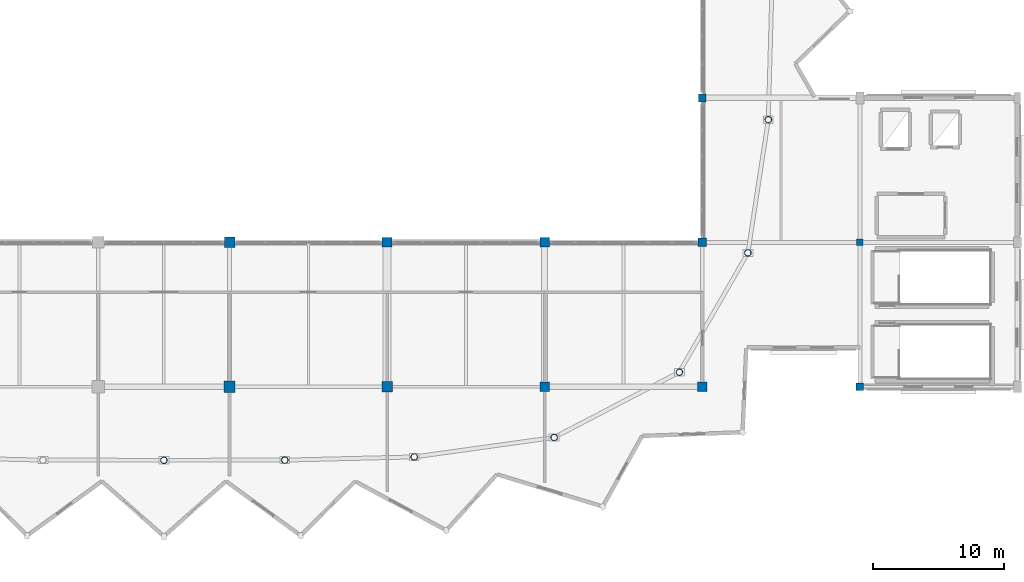
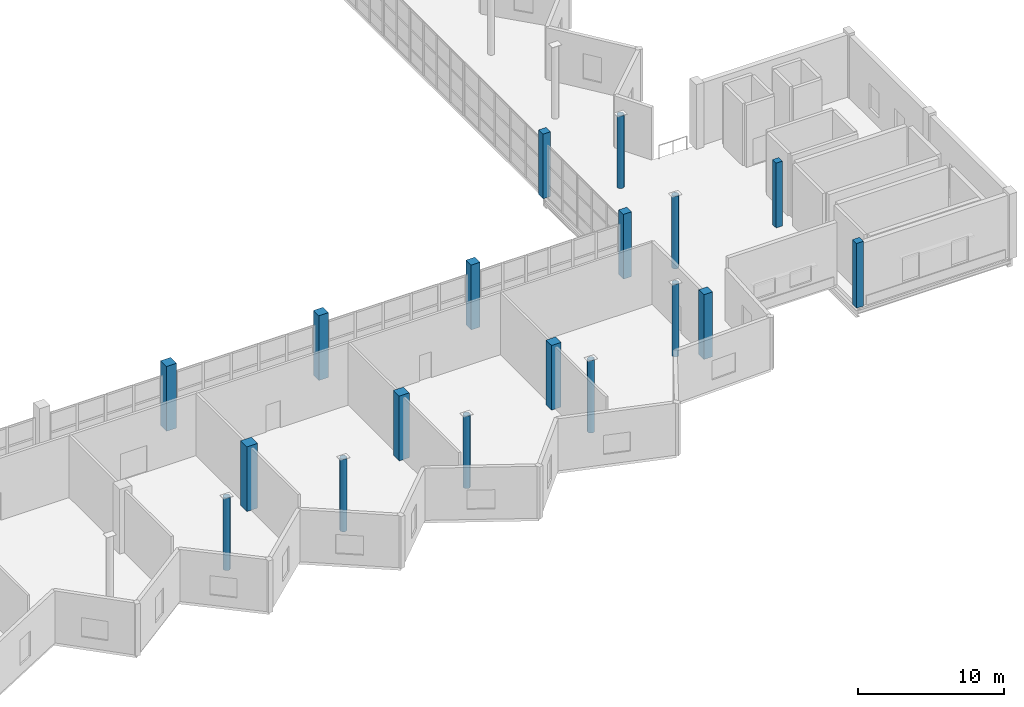
# One storey, part 4 of 49: 18 columns.
"""IFC4 building model written with IfcOpenShell, lengths in metres."""

from ifc_helpers import new_model, si_unit, direction, frame, origin, origin_2d, place, context, subcontext, project, spatial, rectangle, hollow_circle, extrude, material, material_profile, profile_set, type_object, element, save


model = new_model("IFC4")

# Units and contexts
model_context = context("Model", 3, precision=1e-05, world=origin(), true_north=direction((0.0, 1.0)))
body_context = subcontext(model_context, "Body", "Model", "MODEL_VIEW")
ifc_project = project(units=[si_unit("LENGTHUNIT", "METRE"), si_unit("AREAUNIT", "SQUARE_METRE"), si_unit("VOLUMEUNIT", "CUBIC_METRE"), si_unit("PLANEANGLEUNIT", "RADIAN"), si_unit("MASSUNIT", "GRAM", prefix="KILO")], contexts=[model_context])

# Site, building, storey
site_placement = place(None, origin())
site = spatial("IfcSite", under=ifc_project, at=site_placement, CompositionType="ELEMENT")
building_placement = place(site_placement, origin())
building = spatial("IfcBuilding", under=site, at=building_placement, Name="Luwafu Chhajja Arena", CompositionType="ELEMENT")
storey_placement = place(building_placement, frame((0.0, 0.0, 24.300048828125)))
storey = spatial("IfcBuildingStorey", under=building, at=storey_placement, Name="L05", CompositionType="ELEMENT", Elevation=24.300048828125)

# Columns
ifc_material_1 = material(Name="Concrete C35/45", Category="concrete")
ifc_material_profile_1 = material_profile(ifc_material_1, rectangle(XDim=0.85009765625, YDim=0.85009765625, at=origin_2d()), Name="RC 850x850")
ifc_profile_set_1 = profile_set([ifc_material_profile_1], Name="Concrete C35/45")
column_type_1 = type_object("IfcColumnType", Name="Concourse Heavy Column RC 850", PredefinedType="COLUMN", material=ifc_profile_set_1)
column_1_placement = place(storey_placement, frame((104.0, 11.0, 0.0), z_axis=(0.0, 0.0, 1.0), x_axis=(1.0, 0.0, 0.0)))
element("IfcColumn", 1, at=column_1_placement, inside=storey, type_object=column_type_1, Name="L05 Grid Column 10/B", PredefinedType="COLUMN", context=body_context, shape_type="SweptSolid", body=[
    extrude(rectangle(XDim=0.85009765625, YDim=0.85009765625, at=origin_2d()), origin(), (0.0, 0.0, 1.0), 5.39990234375),
])
ifc_material_profile_2 = material_profile(ifc_material_1, rectangle(XDim=0.800048828125, YDim=0.800048828125, at=origin_2d()), Name="RC 800x800")
ifc_profile_set_2 = profile_set([ifc_material_profile_2], Name="Concrete C35/45")
column_type_2 = type_object("IfcColumnType", Name="Concourse Standard Column RC 800", PredefinedType="COLUMN", material=ifc_profile_set_2)
for number, where, z_axis, x_axis, name in (
    (2, (104.0, 22.0, 0.0), (0.0, 0.0, 1.0), (1.0, 0.0, 0.0), "L05 Grid Column 10/C"),
    (3, (116.0, 11.0, 0.0), (0.0, 0.0, 1.0), (1.0, 0.0, 0.0), "L05 Grid Column 11/B"),
):
    element("IfcColumn", number, at=place(storey_placement, frame(where, z_axis=z_axis, x_axis=x_axis)), inside=storey, type_object=column_type_2, Name=name, PredefinedType="COLUMN", context=body_context, shape_type="SweptSolid", body=[
        extrude(rectangle(XDim=0.800048828125, YDim=0.800048828125, at=origin_2d()), origin(), (0.0, 0.0, 1.0), 5.39990234375),
    ])
ifc_material_profile_3 = material_profile(ifc_material_1, rectangle(XDim=0.550048828125, YDim=0.550048828125, at=origin_2d()), Name="RC 550x550")
ifc_profile_set_3 = profile_set([ifc_material_profile_3], Name="Concrete C35/45")
column_type_3 = type_object("IfcColumnType", Name="Gallery Column RC 550", PredefinedType="COLUMN", material=ifc_profile_set_3)
column_2_placement = place(storey_placement, frame((152.0, 11.0, 0.0), z_axis=(0.0, 0.0, 1.0), x_axis=(1.0, 0.0, 0.0)))
element("IfcColumn", 4, at=column_2_placement, inside=storey, type_object=column_type_3, Name="L05 Grid Column 14/B", PredefinedType="COLUMN", context=body_context, shape_type="SweptSolid", body=[
    extrude(rectangle(XDim=0.550048828125, YDim=0.550048828125, at=origin_2d()), origin(), (0.0, 0.0, 1.0), 5.39990234375),
])
ifc_material_profile_4 = material_profile(ifc_material_1, rectangle(XDim=0.75, YDim=0.75, at=origin_2d()), Name="RC 750x750")
ifc_profile_set_4 = profile_set([ifc_material_profile_4], Name="Concrete C35/45")
column_type_4 = type_object("IfcColumnType", Name="Hospitality Ring Column RC 750", PredefinedType="COLUMN", material=ifc_profile_set_4)
for number, where, z_axis, x_axis, name in (
    (5, (116.0, 22.0, 0.0), (0.0, 0.0, 1.0), (1.0, 0.0, 0.0), "L05 Grid Column 11/C"),
    (6, (128.0, 11.0, 0.0), (0.0, 0.0, 1.0), (1.0, 0.0, 0.0), "L05 Grid Column 12/B"),
):
    element("IfcColumn", number, at=place(storey_placement, frame(where, z_axis=z_axis, x_axis=x_axis)), inside=storey, type_object=column_type_4, Name=name, PredefinedType="COLUMN", context=body_context, shape_type="SweptSolid", body=[
        extrude(rectangle(XDim=0.75, YDim=0.75, at=origin_2d()), origin(), (0.0, 0.0, 1.0), 5.39990234375),
    ])
ifc_material_profile_5 = material_profile(ifc_material_1, rectangle(XDim=0.60009765625, YDim=0.60009765625, at=origin_2d()), Name="RC 600x600")
ifc_profile_set_5 = profile_set([ifc_material_profile_5], Name="Concrete C35/45")
column_type_5 = type_object("IfcColumnType", Name="Mezzanine Column RC 600", PredefinedType="COLUMN", material=ifc_profile_set_5)
column_3_placement = place(storey_placement, frame((140.0, 33.0, 0.0), z_axis=(0.0, 0.0, 1.0), x_axis=(1.0, 0.0, 0.0)))
element("IfcColumn", 7, at=column_3_placement, inside=storey, type_object=column_type_5, Name="L05 Grid Column 13/D", PredefinedType="COLUMN", context=body_context, shape_type="SweptSolid", body=[
    extrude(rectangle(XDim=0.60009765625, YDim=0.60009765625, at=origin_2d()), origin(), (0.0, 0.0, 1.0), 5.39990234375),
])
ifc_material_profile_6 = material_profile(ifc_material_1, rectangle(XDim=0.5, YDim=0.5, at=origin_2d()), Name="RC 500x500")
ifc_profile_set_6 = profile_set([ifc_material_profile_6], Name="Concrete C35/45")
column_type_6 = type_object("IfcColumnType", Name="Pavilion Column RC 500", PredefinedType="COLUMN", material=ifc_profile_set_6)
column_4_placement = place(storey_placement, frame((152.0, 22.0, 0.0), z_axis=(0.0, 0.0, 1.0), x_axis=(1.0, 0.0, 0.0)))
element("IfcColumn", 8, at=column_4_placement, inside=storey, type_object=column_type_6, Name="L05 Grid Column 14/C", PredefinedType="COLUMN", context=body_context, shape_type="SweptSolid", body=[
    extrude(rectangle(XDim=0.5, YDim=0.5, at=origin_2d()), origin(), (0.0, 0.0, 1.0), 5.39990234375),
])
ifc_material_2 = material(Name="Steel S355", Category="steel")
ifc_material_profile_7 = material_profile(ifc_material_2, hollow_circle(Radius=0.25390625, WallThickness=0.02001953125, at=origin_2d()), Name="CHS 508x20")
ifc_profile_set_7 = profile_set([ifc_material_profile_7], Name="Steel S355")
column_type_7 = type_object("IfcColumnType", Name="Steel Upper Drum Column CHS 508", PredefinedType="COLUMN", material=ifc_profile_set_7)
for number, where, z_axis, x_axis, name in (
    (9, (99.0, 5.39990234375, 0.0), (0.0, 0.0, 1.0), (1.0, 0.0, 0.0), "L05 Bowl Drum Column D25"),
    (10, (108.207275390625, 5.411865234375, 0.0), (0.0, 0.0, 1.0), (1.0, 0.0, 0.0), "L05 Bowl Drum Column D26"),
    (11, (118.067138671875, 5.6552734375, 0.0), (0.0, 0.0, 1.0), (1.0, 0.0, 0.0), "L05 Bowl Drum Column D27"),
    (12, (128.718017578125, 7.13720703125, 0.0), (0.0, 0.0, 1.0), (1.0, 0.0, 0.0), "L05 Bowl Drum Column D28"),
    (13, (138.256103515625, 12.109130859375, 0.0), (0.0, 0.0, 1.0), (1.0, 0.0, 0.0), "L05 Bowl Drum Column D29"),
    (14, (143.47607421875, 21.194091796875, 0.0), (0.0, 0.0, 1.0), (1.0, 0.0, 0.0), "L05 Bowl Drum Column D30"),
    (15, (145.031982421875, 31.3388671875, 0.0), (0.0, 0.0, 1.0), (1.0, 0.0, 0.0), "L05 Bowl Drum Column D31"),
):
    element("IfcColumn", number, at=place(storey_placement, frame(where, z_axis=z_axis, x_axis=x_axis)), inside=storey, type_object=column_type_7, Name=name, PredefinedType="COLUMN", context=body_context, shape_type="SweptSolid", body=[
        extrude(hollow_circle(Radius=0.25390625, WallThickness=0.02001953125, at=origin_2d()), origin(), (0.0, 0.0, 1.0), 6.050048828125),
    ])
ifc_material_profile_8 = material_profile(ifc_material_1, rectangle(XDim=0.64990234375, YDim=0.64990234375, at=origin_2d()), Name="RC 650x650")
ifc_profile_set_8 = profile_set([ifc_material_profile_8], Name="Concrete C35/45")
column_type_8 = type_object("IfcColumnType", Name="Upper Wing Column RC 650", PredefinedType="COLUMN", material=ifc_profile_set_8)
column_5_placement = place(storey_placement, frame((140.0, 22.0, 0.0), z_axis=(0.0, 0.0, 1.0), x_axis=(1.0, 0.0, 0.0)))
element("IfcColumn", 16, at=column_5_placement, inside=storey, type_object=column_type_8, Name="L05 Grid Column 13/C", PredefinedType="COLUMN", context=body_context, shape_type="SweptSolid", body=[
    extrude(rectangle(XDim=0.64990234375, YDim=0.64990234375, at=origin_2d()), origin(), (0.0, 0.0, 1.0), 5.39990234375),
])
ifc_material_profile_9 = material_profile(ifc_material_1, rectangle(XDim=0.699951171875, YDim=0.699951171875, at=origin_2d()), Name="RC 700x700")
ifc_profile_set_9 = profile_set([ifc_material_profile_9], Name="Concrete C35/45")
column_type_9 = type_object("IfcColumnType", Name="Wing Frame Column RC 700", PredefinedType="COLUMN", material=ifc_profile_set_9)
for number, where, z_axis, x_axis, name in (
    (17, (128.0, 22.0, 0.0), (0.0, 0.0, 1.0), (1.0, 0.0, 0.0), "L05 Grid Column 12/C"),
    (18, (140.0, 11.0, 0.0), (0.0, 0.0, 1.0), (1.0, 0.0, 0.0), "L05 Grid Column 13/B"),
):
    element("IfcColumn", number, at=place(storey_placement, frame(where, z_axis=z_axis, x_axis=x_axis)), inside=storey, type_object=column_type_9, Name=name, PredefinedType="COLUMN", context=body_context, shape_type="SweptSolid", body=[
        extrude(rectangle(XDim=0.699951171875, YDim=0.699951171875, at=origin_2d()), origin(), (0.0, 0.0, 1.0), 5.39990234375),
    ])

save(model, "model.ifc")
